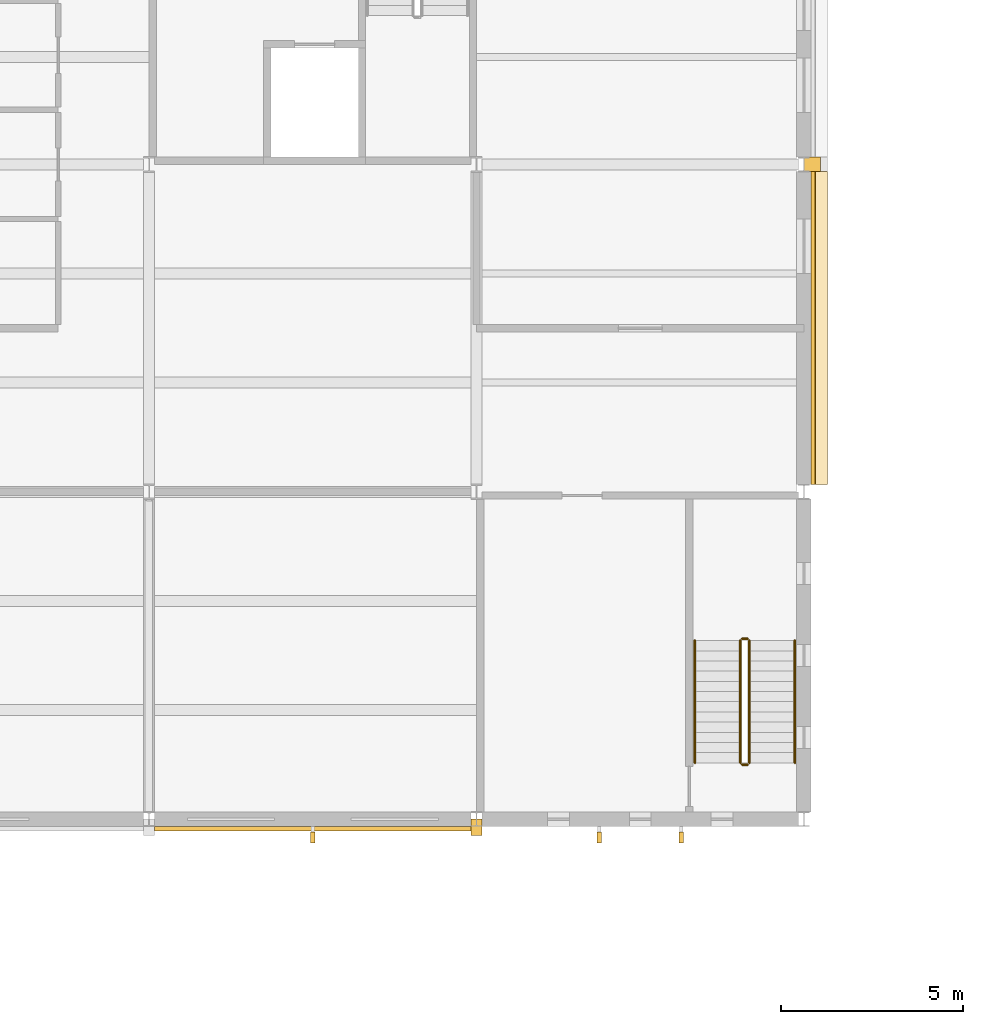
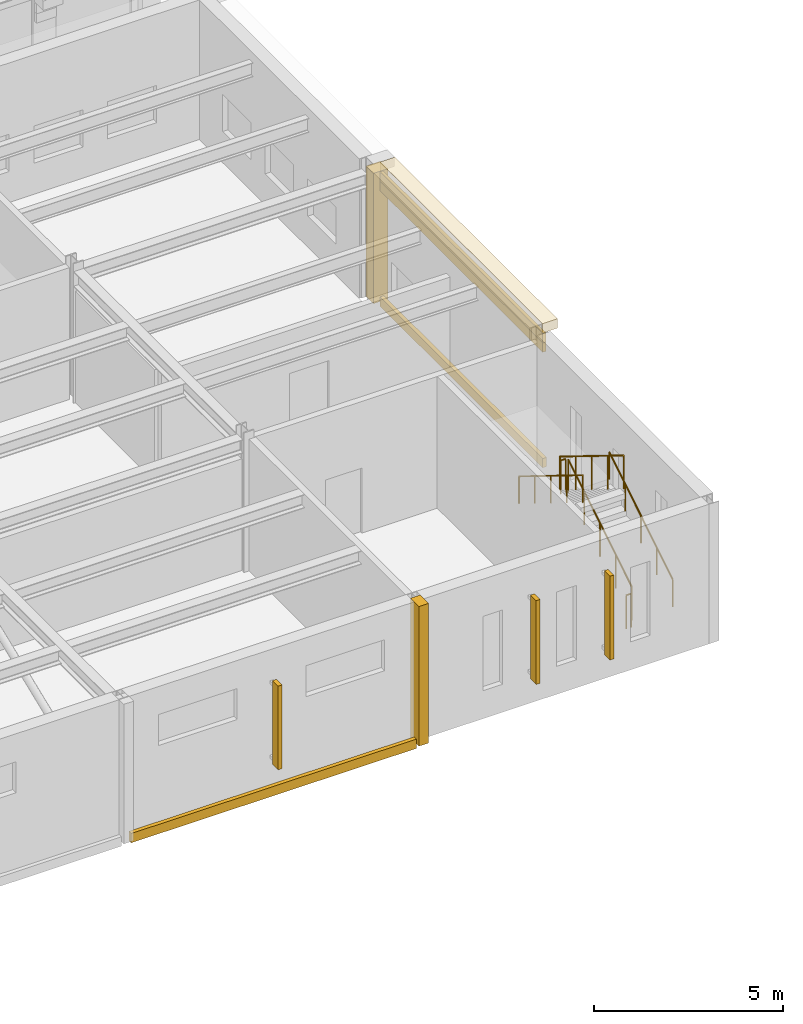
# One storey, part 134 of 153: 7 coverings, 6 railings, 3 shading devices.
"""IFC4 building model written with IfcOpenShell, lengths in metres."""

from ifc_helpers import new_model, si_unit, direction, frame, origin, origin_2d, place, context, subcontext, project, spatial, rectangle, circle, extrude, material, layer, layer_set, type_object, element, save


model = new_model("IFC4")

# Units and contexts
model_context = context("Model", 3, precision=1e-05, world=origin(), true_north=direction((0.0, 1.0)))
body_context = subcontext(model_context, "Body", "Model", "MODEL_VIEW")
ifc_project = project(units=[si_unit("LENGTHUNIT", "METRE"), si_unit("AREAUNIT", "SQUARE_METRE"), si_unit("VOLUMEUNIT", "CUBIC_METRE"), si_unit("PLANEANGLEUNIT", "RADIAN"), si_unit("MASSUNIT", "GRAM", prefix="KILO")], contexts=[model_context])

# Site, building, storey
site_placement = place(None, origin())
site = spatial("IfcSite", under=ifc_project, at=site_placement, CompositionType="ELEMENT")
building_placement = place(site_placement, origin())
building = spatial("IfcBuilding", under=site, at=building_placement, Name="Kallimachos Central Library", CompositionType="ELEMENT")
storey_placement = place(building_placement, frame((0.0, 0.0, 5.39990234375)))
storey = spatial("IfcBuildingStorey", under=building, at=storey_placement, Name="L01", CompositionType="ELEMENT", Elevation=5.39990234375)

# Coverings
ifc_material_1 = material(Name="Glazed ceramic frieze, green")
ifc_layer_1 = layer(ifc_material_1, 0.10009765625)
ifc_layer_set_1 = layer_set([ifc_layer_1], Name="Glazed ceramic frieze, green")
covering_type_1 = type_object("IfcCoveringType", Name="Glazed ceramic frieze, green", PredefinedType="CLADDING", material=ifc_layer_set_1)
covering_1_placement = place(storey_placement, frame((110.75, 31.5, 3.8798828125), z_axis=(0.0, 0.0, 1.0), x_axis=(1.0, 0.0, 0.0)))
element("IfcCovering", 1, at=covering_1_placement, inside=storey, type_object=covering_type_1, Name="Glazed ceramic frieze, green -L01-024", PredefinedType="CLADDING", context=body_context, shape_type="SweptSolid", body=[
    extrude(rectangle(XDim=0.10009765625, YDim=8.60009765625, at=origin_2d()), origin(), (0.0, 0.0, 1.0), 0.300048828125),
])
ifc_material_2 = material(Name="Glazed ceramic frieze, ochre")
ifc_layer_2 = layer(ifc_material_2, 0.10009765625)
ifc_layer_set_2 = layer_set([ifc_layer_2], Name="Glazed ceramic frieze, ochre")
covering_type_2 = type_object("IfcCoveringType", Name="Glazed ceramic frieze, ochre", PredefinedType="CLADDING", material=ifc_layer_set_2)
covering_2_placement = place(storey_placement, frame((110.75, 31.5, 3.580078125), z_axis=(0.0, 0.0, 1.0), x_axis=(1.0, 0.0, 0.0)))
element("IfcCovering", 2, at=covering_2_placement, inside=storey, type_object=covering_type_2, Name="Glazed ceramic frieze, ochre -L01-024", PredefinedType="CLADDING", context=body_context, shape_type="SweptSolid", body=[
    extrude(rectangle(XDim=0.10009765625, YDim=8.60009765625, at=origin_2d()), origin(), (0.0, 0.0, 1.0), 0.300048828125),
])

# Railings
ifc_material_3 = material(Name="Steel S355J2", Category="steel")
railing_type_1 = type_object("IfcRailingType", Name="Stair handrail 900", PredefinedType="HANDRAIL", material=ifc_material_3)
railing_1_placement = place(storey_placement, frame((110.25, 19.550048828125, 0.173095703125)))
element("IfcRailing", 3, at=railing_1_placement, inside=storey, type_object=railing_type_1, Name="L01 ST16 stair handrail 1", PredefinedType="HANDRAIL", context=body_context, shape_type="SweptSolid", body=[
    extrude(circle(Radius=0.02392578125, at=origin_2d()), frame((0.0, 0.0, 0.8759765625), z_axis=(0.0, 0.850606129759, 0.525803396734), x_axis=(-1.0, 0.0, 0.0)), (0.0, 0.0, 1.0), 3.949951171875),
    extrude(circle(Radius=0.02099609375, at=origin_2d()), origin(), (0.0, 0.0, 1.0), 0.851806640625),
    extrude(circle(Radius=0.02099609375, at=origin_2d()), frame((0.0, 0.83984375, 0.519287109375)), (0.0, 0.0, 1.0), 0.851806640625),
    extrude(circle(Radius=0.02099609375, at=origin_2d()), frame((0.0, 1.679931640625, 1.03857421875)), (0.0, 0.0, 1.0), 0.851806640625),
    extrude(circle(Radius=0.02099609375, at=origin_2d()), frame((0.0, 2.52001953125, 1.5576171875)), (0.0, 0.0, 1.0), 0.851806640625),
    extrude(circle(Radius=0.02099609375, at=origin_2d()), frame((0.0, 3.35986328125, 2.076904296875)), (0.0, 0.0, 1.0), 0.851806640625),
])
railing_2_placement = place(storey_placement, frame((107.5, 22.909912109375, 2.423095703125)))
element("IfcRailing", 4, at=railing_2_placement, inside=storey, type_object=railing_type_1, Name="L01 ST16 stair handrail 2", PredefinedType="HANDRAIL", context=body_context, shape_type="SweptSolid", body=[
    extrude(circle(Radius=0.02392578125, at=origin_2d()), frame((0.0, 0.0, 0.8759765625), z_axis=(0.0, -0.850606129759, 0.525803396734), x_axis=(1.0, 0.0, 0.0)), (0.0, 0.0, 1.0), 3.949951171875),
    extrude(circle(Radius=0.02099609375, at=origin_2d()), origin(), (0.0, 0.0, 1.0), 0.851806640625),
    extrude(circle(Radius=0.02099609375, at=origin_2d()), frame((0.0, -0.83984375, 0.519287109375)), (0.0, 0.0, 1.0), 0.851806640625),
    extrude(circle(Radius=0.02099609375, at=origin_2d()), frame((0.0, -1.679931640625, 1.03857421875)), (0.0, 0.0, 1.0), 0.851806640625),
    extrude(circle(Radius=0.02099609375, at=origin_2d()), frame((0.0, -2.52001953125, 1.5576171875)), (0.0, 0.0, 1.0), 0.851806640625),
    extrude(circle(Radius=0.02099609375, at=origin_2d()), frame((0.0, -3.35986328125, 2.076904296875)), (0.0, 0.0, 1.0), 0.851806640625),
])

# Coverings
ifc_material_4 = material(Name="Pentelic marble attic moulding", Category="masonry")
ifc_layer_3 = layer(ifc_material_4, 0.1201171875)
ifc_layer_set_3 = layer_set([ifc_layer_3], Name="Stone attic moulding 300")
covering_type_3 = type_object("IfcCoveringType", Name="Stone attic moulding 300", PredefinedType="MOLDING", material=ifc_layer_set_3)
covering_3_placement = place(storey_placement, frame((110.760009765625, 31.5, -0.14990234375), z_axis=(0.0, 0.0, 1.0), x_axis=(1.0, 0.0, 0.0)))
element("IfcCovering", 5, at=covering_3_placement, inside=storey, type_object=covering_type_3, Name="Stone attic moulding 300 -L01-024", PredefinedType="MOLDING", context=body_context, shape_type="SweptSolid", body=[
    extrude(rectangle(XDim=0.1201171875, YDim=8.60009765625, at=origin_2d()), origin(), (0.0, 0.0, 1.0), 0.300048828125),
])
ifc_material_5 = material(Name="Pentelic marble cornice", Category="masonry")
ifc_layer_4 = layer(ifc_material_5, 0.449951171875)
ifc_layer_set_4 = layer_set([ifc_layer_4], Name="Stone cornice 450")
covering_type_4 = type_object("IfcCoveringType", Name="Stone cornice 450", PredefinedType="MOLDING", material=ifc_layer_set_4)
covering_4_placement = place(storey_placement, frame((110.925048828125, 31.5, 4.2001953125), z_axis=(0.0, 0.0, 1.0), x_axis=(1.0, 0.0, 0.0)))
element("IfcCovering", 6, at=covering_4_placement, inside=storey, type_object=covering_type_4, Name="Stone cornice 450 -L01-024", PredefinedType="MOLDING", context=body_context, shape_type="SweptSolid", body=[
    extrude(rectangle(XDim=0.449951171875, YDim=8.60009765625, at=origin_2d()), origin(), (0.0, 0.0, 1.0), 0.300048828125),
])
ifc_material_6 = material(Name="Pentelic marble pilaster", Category="masonry")
ifc_layer_5 = layer(ifc_material_6, 0.25)
ifc_layer_set_5 = layer_set([ifc_layer_5], Name="Stone pilaster 250")
covering_type_5 = type_object("IfcCoveringType", Name="Stone pilaster 250", PredefinedType="CLADDING", material=ifc_layer_set_5)
covering_5_placement = place(storey_placement, frame((101.5, 17.77490234375, 0.0), z_axis=(0.0, 0.0, 1.0), x_axis=(1.0, 0.0, 0.0)))
element("IfcCovering", 7, at=covering_5_placement, inside=storey, type_object=covering_type_5, Name="Stone pilaster 250 -L01-013", PredefinedType="CLADDING", context=body_context, shape_type="SweptSolid", body=[
    extrude(rectangle(XDim=0.300048828125, YDim=0.449951171875, at=origin_2d()), origin(), (0.0, 0.0, 1.0), 4.5),
])
covering_6_placement = place(storey_placement, frame((110.72509765625, 36.0, 0.0), z_axis=(0.0, 0.0, 1.0), x_axis=(1.0, 0.0, 0.0)))
element("IfcCovering", 8, at=covering_6_placement, inside=storey, type_object=covering_type_5, Name="Stone pilaster 250 -L01-024", PredefinedType="CLADDING", context=body_context, shape_type="SweptSolid", body=[
    extrude(rectangle(XDim=0.449951171875, YDim=0.39990234375, at=origin_2d()), origin(), (0.0, 0.0, 1.0), 4.199951171875),
])
ifc_material_7 = material(Name="Pentelic marble string course", Category="masonry")
ifc_layer_6 = layer(ifc_material_7, 0.1201171875)
ifc_layer_set_6 = layer_set([ifc_layer_6], Name="Stone string course 300")
covering_type_6 = type_object("IfcCoveringType", Name="Stone string course 300", PredefinedType="MOLDING", material=ifc_layer_set_6)
covering_7_placement = place(storey_placement, frame((97.0, 17.739990234375, -0.14990234375), z_axis=(0.0, 0.0, 1.0), x_axis=(1.0, 0.0, 0.0)))
element("IfcCovering", 9, at=covering_7_placement, inside=storey, type_object=covering_type_6, Name="Stone string course 300 -L01-013", PredefinedType="MOLDING", context=body_context, shape_type="SweptSolid", body=[
    extrude(rectangle(XDim=8.699951171875, YDim=0.1201171875, at=origin_2d()), origin(), (0.0, 0.0, 1.0), 0.300048828125),
])

# Shading devices
ifc_material_8 = material(Name="Pentelic marble fin", Category="masonry")
ifc_layer_7 = layer(ifc_material_8, 0.1201171875)
ifc_layer_set_7 = layer_set([ifc_layer_7], Name="Stone sun-shade fin 120")
shading_device_type = type_object("IfcShadingDeviceType", Name="Stone sun-shade fin 120", PredefinedType="USERDEFINED", material=ifc_layer_set_7)
for number, where, z_axis, x_axis, name in (
    (10, (97.0, 17.5, 0.89990234375), (0.0, 0.0, 1.0), (1.0, 0.0, 0.0), "Stone sun-shade fin 120 -L01-013"),
    (11, (104.875, 17.5, 0.89990234375), (0.0, 0.0, 1.0), (1.0, 0.0, 0.0), "Stone sun-shade fin 120 -L01-014"),
    (12, (107.125, 17.5, 0.89990234375), (0.0, 0.0, 1.0), (1.0, 0.0, 0.0), "Stone sun-shade fin 120 -L01-014"),
):
    element("IfcShadingDevice", number, at=place(storey_placement, frame(where, z_axis=z_axis, x_axis=x_axis)), inside=storey, type_object=shading_device_type, Name=name, ObjectType="FIN", PredefinedType="USERDEFINED", context=body_context, shape_type="SweptSolid", body=[
        extrude(rectangle(XDim=0.1201171875, YDim=0.300048828125, at=origin_2d()), origin(), (0.0, 0.0, 1.0), 2.699951171875),
    ])

# Railings
ifc_material_9 = material(Name="Steel S355J2", Category="steel")
railing_type_2 = type_object("IfcRailingType", Name="Wrought-iron guard 1100", PredefinedType="GUARDRAIL", material=ifc_material_9)
railing_3_placement = place(storey_placement, frame((109.0, 19.550048828125, 0.173095703125)))
element("IfcRailing", 13, at=railing_3_placement, inside=storey, type_object=railing_type_2, Name="L01 ST16 stair guard 1", PredefinedType="GUARDRAIL", context=body_context, shape_type="SweptSolid", body=[
    extrude(circle(Radius=0.02392578125, at=origin_2d()), frame((0.0, 0.0, 1.076171875), z_axis=(0.0, 0.850606129759, 0.525803396734), x_axis=(-1.0, 0.0, 0.0)), (0.0, 0.0, 1.0), 3.949951171875),
    extrude(circle(Radius=0.02099609375, at=origin_2d()), origin(), (0.0, 0.0, 1.0), 1.052001953125),
    extrude(circle(Radius=0.02099609375, at=origin_2d()), frame((0.0, 0.83984375, 0.519287109375)), (0.0, 0.0, 1.0), 1.052001953125),
    extrude(circle(Radius=0.02099609375, at=origin_2d()), frame((0.0, 1.679931640625, 1.03857421875)), (0.0, 0.0, 1.0), 1.052001953125),
    extrude(circle(Radius=0.02099609375, at=origin_2d()), frame((0.0, 2.52001953125, 1.5576171875)), (0.0, 0.0, 1.0), 1.052001953125),
    extrude(circle(Radius=0.02099609375, at=origin_2d()), frame((0.0, 3.35986328125, 2.076904296875)), (0.0, 0.0, 1.0), 1.052001953125),
])
railing_4_placement = place(storey_placement, frame((108.949951171875, 22.9599609375, 2.25)))
element("IfcRailing", 14, at=railing_4_placement, inside=storey, type_object=railing_type_2, Name="L01 ST16 stair guard 2", PredefinedType="GUARDRAIL", context=body_context, shape_type="SweptSolid", body=[
    extrude(circle(Radius=0.02392578125, at=origin_2d()), frame((0.0, 0.0, 1.076171875), z_axis=(-1.0, 0.0, 0.0), x_axis=(0.0, -1.0, 0.0)), (0.0, 0.0, 1.0), 0.14990234375),
    extrude(circle(Radius=0.02099609375, at=origin_2d()), origin(), (0.0, 0.0, 1.0), 1.052001953125),
    extrude(circle(Radius=0.02099609375, at=origin_2d()), frame((-0.14990234375, 0.0, 0.0)), (0.0, 0.0, 1.0), 1.052001953125),
])
railing_5_placement = place(storey_placement, frame((108.75, 22.909912109375, 2.423095703125)))
element("IfcRailing", 15, at=railing_5_placement, inside=storey, type_object=railing_type_2, Name="L01 ST16 stair guard 3", PredefinedType="GUARDRAIL", context=body_context, shape_type="SweptSolid", body=[
    extrude(circle(Radius=0.02392578125, at=origin_2d()), frame((0.0, 0.0, 1.076171875), z_axis=(0.0, -0.850606129759, 0.525803396734), x_axis=(1.0, 0.0, 0.0)), (0.0, 0.0, 1.0), 3.949951171875),
    extrude(circle(Radius=0.02099609375, at=origin_2d()), origin(), (0.0, 0.0, 1.0), 1.052001953125),
    extrude(circle(Radius=0.02099609375, at=origin_2d()), frame((0.0, -0.83984375, 0.519287109375)), (0.0, 0.0, 1.0), 1.052001953125),
    extrude(circle(Radius=0.02099609375, at=origin_2d()), frame((0.0, -1.679931640625, 1.03857421875)), (0.0, 0.0, 1.0), 1.052001953125),
    extrude(circle(Radius=0.02099609375, at=origin_2d()), frame((0.0, -2.52001953125, 1.5576171875)), (0.0, 0.0, 1.0), 1.052001953125),
    extrude(circle(Radius=0.02099609375, at=origin_2d()), frame((0.0, -3.35986328125, 2.076904296875)), (0.0, 0.0, 1.0), 1.052001953125),
])
railing_6_placement = place(storey_placement, frame((108.949951171875, 19.5, 0.0)))
element("IfcRailing", 16, at=railing_6_placement, inside=storey, type_object=railing_type_2, Name="L01 ST16 stair guard 4", PredefinedType="GUARDRAIL", context=body_context, shape_type="SweptSolid", body=[
    extrude(circle(Radius=0.02392578125, at=origin_2d()), frame((0.0, 0.0, 1.076171875), z_axis=(-1.0, 0.0, 0.0), x_axis=(0.0, -1.0, 0.0)), (0.0, 0.0, 1.0), 0.14990234375),
    extrude(circle(Radius=0.02099609375, at=origin_2d()), origin(), (0.0, 0.0, 1.0), 1.052001953125),
    extrude(circle(Radius=0.02099609375, at=origin_2d()), frame((-0.14990234375, 0.0, 0.0)), (0.0, 0.0, 1.0), 1.052001953125),
])

save(model, "model.ifc")
